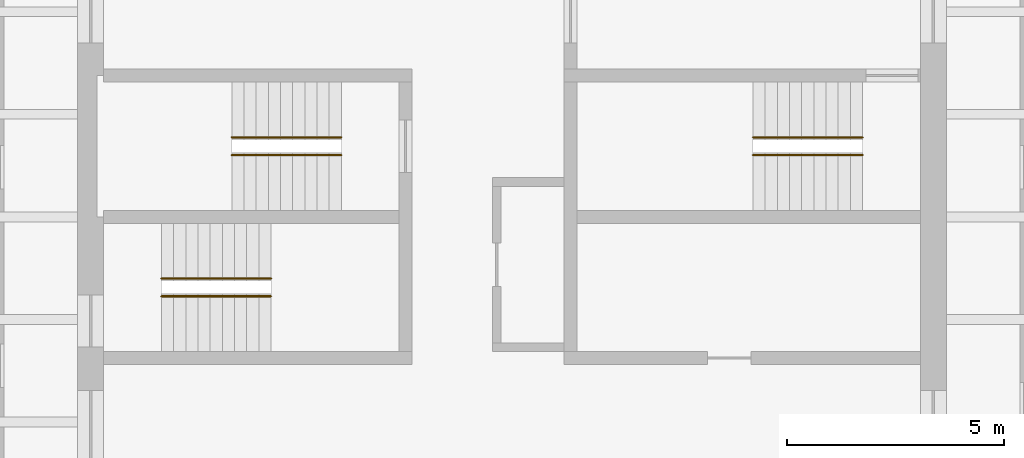
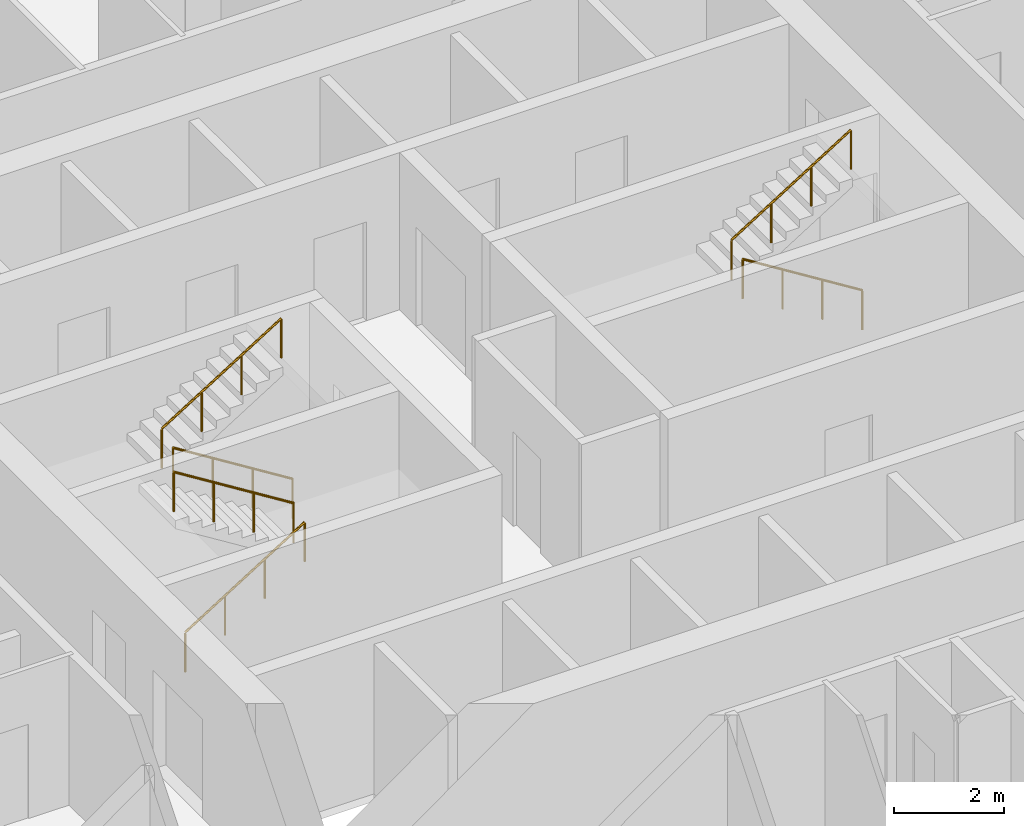
# One storey, part 9 of 9: 6 railings.
"""IFC4 building model written with IfcOpenShell, lengths in metres."""

from ifc_helpers import new_model, si_unit, direction, frame, origin, origin_2d, place, context, subcontext, project, spatial, circle, extrude, material, type_object, element, save


model = new_model("IFC4")

# Units and contexts
model_context = context("Model", 3, precision=1e-05, world=origin(), true_north=direction((0.0, 1.0)))
body_context = subcontext(model_context, "Body", "Model", "MODEL_VIEW")
ifc_project = project(units=[si_unit("LENGTHUNIT", "METRE"), si_unit("AREAUNIT", "SQUARE_METRE"), si_unit("VOLUMEUNIT", "CUBIC_METRE"), si_unit("PLANEANGLEUNIT", "RADIAN"), si_unit("MASSUNIT", "GRAM", prefix="KILO")], contexts=[model_context])

# Site, building, storey
site_placement = place(None, origin())
site = spatial("IfcSite", under=ifc_project, at=site_placement, CompositionType="ELEMENT")
building_placement = place(site_placement, origin())
building = spatial("IfcBuilding", under=site, at=building_placement, Name="Turquesa Mirador Hotel Tower", CompositionType="ELEMENT")
storey_placement = place(building_placement, frame((0.0, 0.0, 74.0)))
storey = spatial("IfcBuildingStorey", under=building, at=storey_placement, Name="L19", CompositionType="ELEMENT", Elevation=74.0)

# Railings
ifc_material = material(Name="Painted steel handrail", Category="steel")
railing_type = type_object("IfcRailingType", Name="HANDRAIL 900 STEEL", PredefinedType="HANDRAIL", material=ifc_material)
railing_1_placement = place(storey_placement, frame((51.070068359375, 46.419921875, 0.175048828125)))
element("IfcRailing", 1, at=railing_1_placement, inside=storey, type_object=railing_type, Name="Handrail ST1", PredefinedType="HANDRAIL", context=body_context, shape_type="SweptSolid", body=[
    extrude(circle(Radius=0.02392578125, at=origin_2d()), frame((0.0, 0.0, 0.8759765625), z_axis=(-0.848007534815, 0.0, 0.529984170421), x_axis=(0.0, -1.0, 0.0)), (0.0, 0.0, 1.0), 2.9716796875),
    extrude(circle(Radius=0.02099609375, at=origin_2d()), origin(), (0.0, 0.0, 1.0), 0.851806640625),
    extrude(circle(Radius=0.02099609375, at=origin_2d()), frame((-0.840087890625, 0.0, 0.52490234375)), (0.0, 0.0, 1.0), 0.851806640625),
    extrude(circle(Radius=0.02099609375, at=origin_2d()), frame((-1.679931640625, 0.0, 1.050048828125)), (0.0, 0.0, 1.0), 0.851806640625),
    extrude(circle(Radius=0.02099609375, at=origin_2d()), frame((-2.52001953125, 0.0, 1.574951171875)), (0.0, 0.0, 1.0), 0.851806640625),
])
for number, where, name in (
    (2, (48.550048828125, 46.830078125, 1.925048828125), "Handrail ST1"),
    (3, (46.929931640625, 43.169921875, 0.175048828125), "Handrail ST2"),
):
    element("IfcRailing", number, at=place(storey_placement, frame(where)), inside=storey, type_object=railing_type, Name=name, PredefinedType="HANDRAIL", context=body_context, shape_type="SweptSolid", body=[
        extrude(circle(Radius=0.02392578125, at=origin_2d()), frame((0.0, 0.0, 0.8759765625), z_axis=(0.848007534815, 0.0, 0.529984170421), x_axis=(0.0, 1.0, 0.0)), (0.0, 0.0, 1.0), 2.9716796875),
        extrude(circle(Radius=0.02099609375, at=origin_2d()), origin(), (0.0, 0.0, 1.0), 0.851806640625),
        extrude(circle(Radius=0.02099609375, at=origin_2d()), frame((0.840087890625, 0.0, 0.52490234375)), (0.0, 0.0, 1.0), 0.851806640625),
        extrude(circle(Radius=0.02099609375, at=origin_2d()), frame((1.679931640625, 0.0, 1.050048828125)), (0.0, 0.0, 1.0), 0.851806640625),
        extrude(circle(Radius=0.02099609375, at=origin_2d()), frame((2.52001953125, 0.0, 1.574951171875)), (0.0, 0.0, 1.0), 0.851806640625),
    ])
for number, where, name in (
    (4, (49.449951171875, 43.580078125, 1.925048828125), "Handrail ST2"),
    (5, (63.070068359375, 46.419921875, 0.175048828125), "Handrail ST3"),
):
    element("IfcRailing", number, at=place(storey_placement, frame(where)), inside=storey, type_object=railing_type, Name=name, PredefinedType="HANDRAIL", context=body_context, shape_type="SweptSolid", body=[
        extrude(circle(Radius=0.02392578125, at=origin_2d()), frame((0.0, 0.0, 0.8759765625), z_axis=(-0.848007534815, 0.0, 0.529984170421), x_axis=(0.0, -1.0, 0.0)), (0.0, 0.0, 1.0), 2.9716796875),
        extrude(circle(Radius=0.02099609375, at=origin_2d()), origin(), (0.0, 0.0, 1.0), 0.851806640625),
        extrude(circle(Radius=0.02099609375, at=origin_2d()), frame((-0.840087890625, 0.0, 0.52490234375)), (0.0, 0.0, 1.0), 0.851806640625),
        extrude(circle(Radius=0.02099609375, at=origin_2d()), frame((-1.679931640625, 0.0, 1.050048828125)), (0.0, 0.0, 1.0), 0.851806640625),
        extrude(circle(Radius=0.02099609375, at=origin_2d()), frame((-2.52001953125, 0.0, 1.574951171875)), (0.0, 0.0, 1.0), 0.851806640625),
    ])
railing_2_placement = place(storey_placement, frame((60.550048828125, 46.830078125, 1.925048828125)))
element("IfcRailing", 6, at=railing_2_placement, inside=storey, type_object=railing_type, Name="Handrail ST3", PredefinedType="HANDRAIL", context=body_context, shape_type="SweptSolid", body=[
    extrude(circle(Radius=0.02392578125, at=origin_2d()), frame((0.0, 0.0, 0.8759765625), z_axis=(0.848007534815, 0.0, 0.529984170421), x_axis=(0.0, 1.0, 0.0)), (0.0, 0.0, 1.0), 2.9716796875),
    extrude(circle(Radius=0.02099609375, at=origin_2d()), origin(), (0.0, 0.0, 1.0), 0.851806640625),
    extrude(circle(Radius=0.02099609375, at=origin_2d()), frame((0.840087890625, 0.0, 0.52490234375)), (0.0, 0.0, 1.0), 0.851806640625),
    extrude(circle(Radius=0.02099609375, at=origin_2d()), frame((1.679931640625, 0.0, 1.050048828125)), (0.0, 0.0, 1.0), 0.851806640625),
    extrude(circle(Radius=0.02099609375, at=origin_2d()), frame((2.52001953125, 0.0, 1.574951171875)), (0.0, 0.0, 1.0), 0.851806640625),
])

save(model, "model.ifc")
